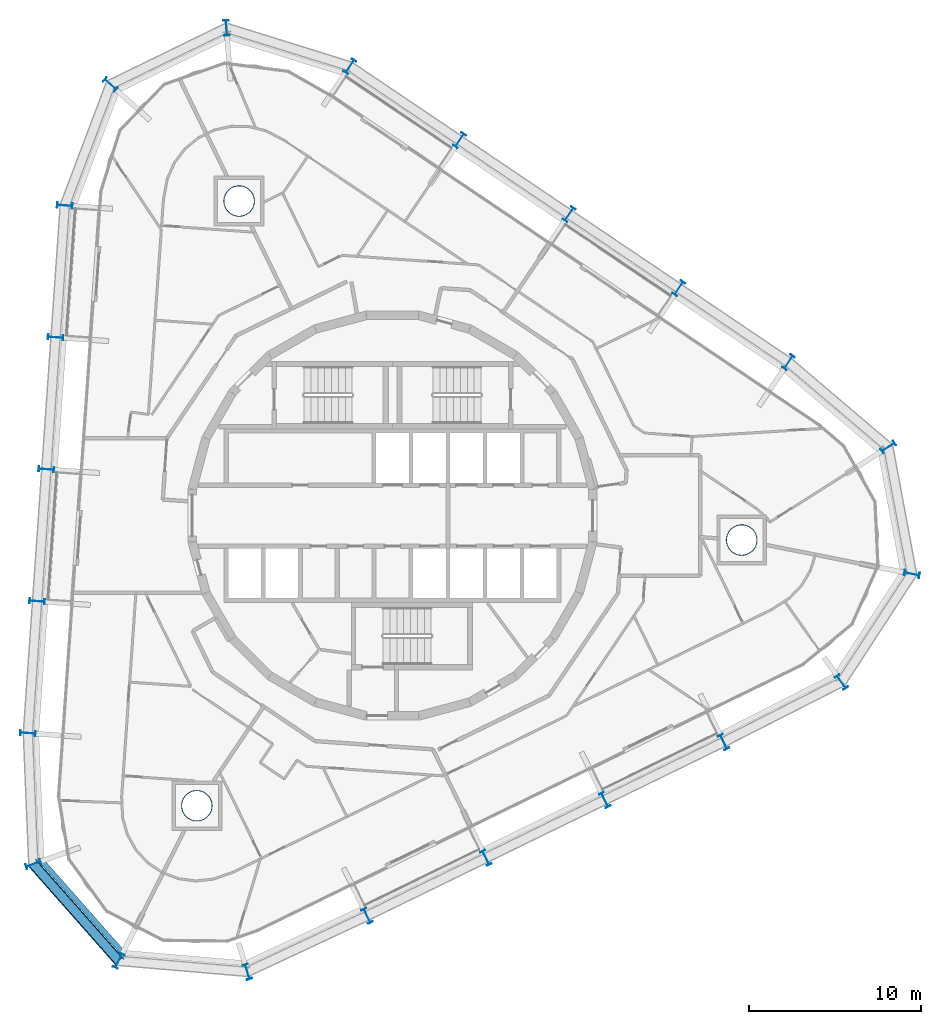
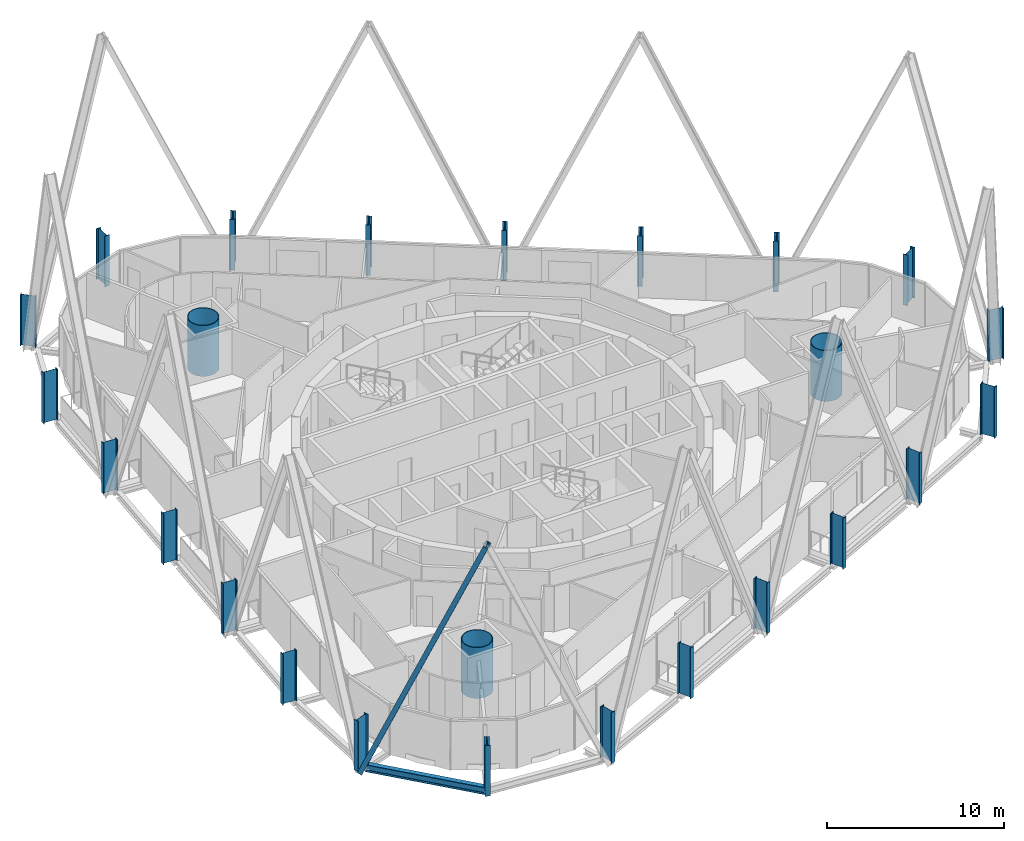
# One storey, part 1 of 18: 25 columns, 1 beam, 1 member.
"""IFC4 building model written with IfcOpenShell, lengths in metres."""

from ifc_helpers import new_model, si_unit, direction, frame, origin, origin_2d, place, context, subcontext, project, spatial, hollow_circle, i_section, extrude, material, material_profile, profile_set, type_object, element, save


model = new_model("IFC4")

# Units and contexts
model_context = context("Model", 3, precision=1e-05, world=origin(), true_north=direction((0.0, 1.0)))
body_context = subcontext(model_context, "Body", "Model", "MODEL_VIEW")
ifc_project = project(units=[si_unit("LENGTHUNIT", "METRE"), si_unit("AREAUNIT", "SQUARE_METRE"), si_unit("VOLUMEUNIT", "CUBIC_METRE"), si_unit("PLANEANGLEUNIT", "RADIAN"), si_unit("MASSUNIT", "GRAM", prefix="KILO")], contexts=[model_context])

# Site, building, storey
site_placement = place(None, origin())
site = spatial("IfcSite", under=ifc_project, at=site_placement, CompositionType="ELEMENT")
building_placement = place(site_placement, origin())
building = spatial("IfcBuilding", under=site, at=building_placement, Name="Spindle Arch Residences", CompositionType="ELEMENT")
storey_placement = place(building_placement, frame((0.0, 0.0, 202.39990234375)))
storey = spatial("IfcBuildingStorey", under=building, at=storey_placement, Name="L51", CompositionType="ELEMENT", Elevation=202.39990234375)

# Columns
ifc_material_1 = material(Name="Steel S460ML, intumescent coating R 240", Category="steel")
ifc_material_profile_1 = material_profile(ifc_material_1, i_section(OverallWidth=0.300048828125, OverallDepth=0.89990234375, WebThickness=0.0185546875, FlangeThickness=0.034912109375, FilletRadius=0.030029296875, at=origin_2d()), Name="HEB 900")
ifc_profile_set_1 = profile_set([ifc_material_profile_1], Name="Steel S460ML, intumescent coating R 240")
column_type_1 = type_object("IfcColumnType", Name="Exoskeleton post HEB 900", PredefinedType="COLUMN", material=ifc_profile_set_1)
for number, where, z_axis, x_axis, name in (
    (1, (12.347900390625, -16.5419921875, -0.3798828125), (0.0, 0.0, 1.0), (-0.898794095235, -0.438371046456, 0.0), "Exoskeleton post 1"),
    (2, (19.26318359375, -13.169189453125, -0.3798828125), (0.0, 0.0, 1.0), (-0.898794095235, -0.438371046456, 0.0), "Exoskeleton post 2"),
    (3, (26.11669921875, -9.685546875, -0.3798828125), (0.0, 0.0, 1.0), (-0.818345137662, -0.574727096686, 0.0), "Exoskeleton post 3"),
    (4, (30.217041015625, -3.39501953125, -0.3798828125), (0.0, 0.0, 1.0), (-0.195504943379, -0.980702715972, 0.0), "Exoskeleton post 4"),
    (5, (28.84228515625, 3.9873046875, -0.3798828125), (0.0, 0.0, 1.0), (0.535400283339, -0.844598446956, 0.0), "Exoskeleton post 5"),
    (6, (23.03466796875, 8.926025390625, -0.3798828125), (0.0, 0.0, 1.0), (0.829037661466, -0.559192771654, 0.0), "Exoskeleton post 6"),
    (7, (16.65625, 13.228271484375, -0.3798828125), (0.0, 0.0, 1.0), (0.829037661466, -0.559192771654, 0.0), "Exoskeleton post 7"),
    (8, (10.27783203125, 17.530517578125, -0.3798828125), (0.0, 0.0, 1.0), (0.829037661466, -0.559192771654, 0.0), "Exoskeleton post 8"),
    (9, (3.8994140625, 21.832763671875, -0.3798828125), (0.0, 0.0, 1.0), (0.829037661466, -0.559192771654, 0.0), "Exoskeleton post 9"),
    (10, (-2.47900390625, 26.135009765625, -0.3798828125), (0.0, 0.0, 1.0), (0.829037661466, -0.559192771654, 0.0), "Exoskeleton post 10"),
    (11, (-9.66162109375, 28.3740234375, -0.3798828125), (0.0, 0.0, 1.0), (0.997343345089, 0.072844025201, 0.0), "Exoskeleton post 11"),
    (12, (-16.41064453125, 25.082275390625, -0.3798828125), (0.0, 0.0, 1.0), (0.671427897912, 0.741069887329, 0.0), "Exoskeleton post 12"),
    (13, (-19.068603515625, 18.043701171875, -0.3798828125), (0.0, 0.0, 1.0), (0.069756005795, 0.997564082982, 0.0), "Exoskeleton post 13"),
    (14, (-19.605224609375, 10.368896484375, -0.3798828125), (0.0, 0.0, 1.0), (0.069756005795, 0.997564082982, 0.0), "Exoskeleton post 14"),
    (15, (-20.141845703125, 2.69384765625, -0.3798828125), (0.0, 0.0, 1.0), (0.069756005795, 0.997564082982, 0.0), "Exoskeleton post 15"),
    (16, (-20.6787109375, -4.981201171875, -0.3798828125), (0.0, 0.0, 1.0), (0.069756005795, 0.997564082982, 0.0), "Exoskeleton post 16"),
    (17, (-21.21533203125, -12.656005859375, -0.3798828125), (0.0, 0.0, 1.0), (0.069756005795, 0.997564082982, 0.0), "Exoskeleton post 17"),
    (18, (-20.899169921875, -20.273193359375, -0.3798828125), (0.0, 0.0, 1.0), (-0.335927007751, 0.941888021722, 0.0), "Exoskeleton post 18"),
    (19, (-15.92822265625, -25.901611328125, -0.3798828125), (0.0, 0.0, 1.0), (-0.893169071277, 0.449721035881, 0.0), "Exoskeleton post 19"),
    (20, (-8.446533203125, -26.543212890625, -0.3798828125), (0.0, 0.0, 1.0), (-0.956714575216, -0.291027870778, 0.0), "Exoskeleton post 20"),
    (21, (-1.482177734375, -23.287353515625, -0.3798828125), (0.0, 0.0, 1.0), (-0.898794095235, -0.438371046456, 0.0), "Exoskeleton post 21"),
    (22, (5.43310546875, -19.91455078125, -0.3798828125), (0.0, 0.0, 1.0), (-0.898794095235, -0.438371046456, 0.0), "Exoskeleton post 22"),
):
    element("IfcColumn", number, at=place(storey_placement, frame(where, z_axis=z_axis, x_axis=x_axis)), inside=storey, type_object=column_type_1, Name=name, PredefinedType="COLUMN", context=body_context, shape_type="SweptSolid", body=[
        extrude(i_section(OverallWidth=0.300048828125, OverallDepth=0.89990234375, WebThickness=0.0185546875, FlangeThickness=0.034912109375, FilletRadius=0.030029296875, at=origin_2d()), origin(), (0.0, 0.0, 1.0), 3.5),
    ])
ifc_material_2 = material(Name="Concrete C50/60 filled steel tube S460ML, intumescent coating R 240", Category="concrete")
ifc_material_profile_2 = material_profile(ifc_material_2, hollow_circle(Radius=0.89990234375, WallThickness=0.0400390625, at=origin_2d()), Name="CFT D1800x40")
ifc_profile_set_2 = profile_set([ifc_material_profile_2], Name="Concrete C50/60 filled steel tube S460ML, intumescent coating R 240")
column_type_2 = type_object("IfcColumnType", Name="Mega-column CFT D1800x40", PredefinedType="COLUMN", material=ifc_profile_set_2)
for number, where, z_axis, x_axis, name in (
    (23, (20.31201171875, -1.42041015625, -0.3798828125), (0.0, 0.0, 1.0), (1.0, 0.0, 0.0), "Mega-column 1"),
    (24, (-8.92578125, 18.30078125, -0.3798828125), (0.0, 0.0, 1.0), (1.0, 0.0, 0.0), "Mega-column 2"),
    (25, (-11.385986328125, -16.880615234375, -0.3798828125), (0.0, 0.0, 1.0), (1.0, 0.0, 0.0), "Mega-column 3"),
):
    element("IfcColumn", number, at=place(storey_placement, frame(where, z_axis=z_axis, x_axis=x_axis)), inside=storey, type_object=column_type_2, Name=name, PredefinedType="COLUMN", context=body_context, shape_type="SweptSolid", body=[
        extrude(hollow_circle(Radius=0.89990234375, WallThickness=0.0400390625, at=origin_2d()), origin(), (0.0, 0.0, 1.0), 3.5),
    ])

# Member
ifc_material_3 = material(Name="Steel S460ML, intumescent coating R 240", Category="steel")
ifc_material_profile_3 = material_profile(ifc_material_3, i_section(OverallWidth=0.304931640625, OverallDepth=0.6201171875, WebThickness=0.02099609375, FlangeThickness=0.0400390625, FilletRadius=0.027099609375, at=origin_2d()), Name="HEM 600")
ifc_profile_set_3 = profile_set([ifc_material_profile_3], Name="Steel S460ML, intumescent coating R 240")
member_type = type_object("IfcMemberType", Name="Diagrid diagonal HEM 600", PredefinedType="BRACE", material=ifc_profile_set_3)
member_placement = place(storey_placement, frame((-20.899169921875, -20.273193359375, -0.6298828125), z_axis=(0.263925599215, -0.298833100747, 0.917083450934), x_axis=(-0.607084653273, 0.687379283756, 0.398695302233)))
element("IfcMember", 26, at=member_placement, inside=storey, type_object=member_type, Name="Diagrid diagonal 5.2.18", PredefinedType="BRACE", context=body_context, shape_type="SweptSolid", body=[
    extrude(i_section(OverallWidth=0.304931640625, OverallDepth=0.6201171875, WebThickness=0.02099609375, FlangeThickness=0.0400390625, FilletRadius=0.027099609375, at=origin_2d()), origin(), (0.0, 0.0, 1.0), 18.834716796875),
])

# Beam
ifc_material_4 = material(Name="Steel S460ML, intumescent coating R 120", Category="steel")
ifc_material_profile_4 = material_profile(ifc_material_4, i_section(OverallWidth=0.300048828125, OverallDepth=0.5, WebThickness=0.014404296875, FlangeThickness=0.028076171875, FilletRadius=0.027099609375, at=origin_2d()), Name="HEB 500")
ifc_profile_set_4 = profile_set([ifc_material_profile_4], Name="Steel S460ML, intumescent coating R 120")
beam_type = type_object("IfcBeamType", Name="Exoskeleton edge beam HEB 500", PredefinedType="BEAM", material=ifc_profile_set_4)
beam_placement = place(storey_placement, frame((-20.44580078125, -20.04638671875, -0.6298828125), z_axis=(0.661985798565, -0.749516379073, 0.0), x_axis=(0.749516379073, 0.661985798565, 0.0)))
element("IfcBeam", 27, at=beam_placement, inside=storey, type_object=beam_type, Name="Exoskeleton edge beam 18", PredefinedType="BEAM", context=body_context, shape_type="SweptSolid", body=[
    extrude(i_section(OverallWidth=0.300048828125, OverallDepth=0.5, WebThickness=0.014404296875, FlangeThickness=0.028076171875, FilletRadius=0.027099609375, at=origin_2d()), origin(), (0.0, 0.0, 1.0), 7.2490234375),
])

save(model, "model.ifc")
